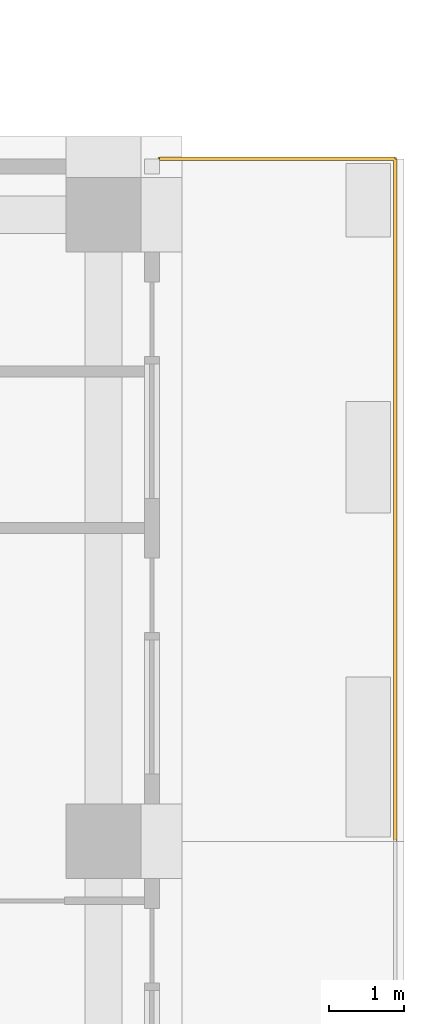
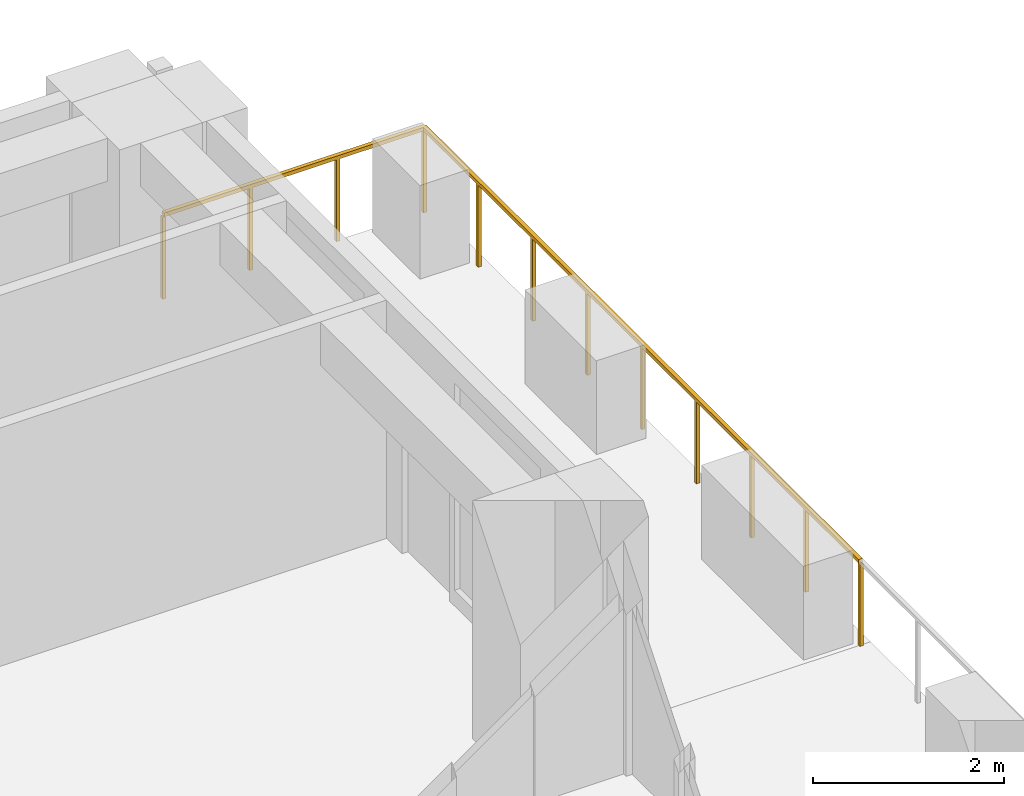
# One storey, part 17 of 17: 1 railing.
"""IFC4 building model written with IfcOpenShell, lengths in metres."""

from ifc_helpers import new_model, si_unit, direction, frame, origin, origin_2d, place, context, subcontext, project, spatial, rectangle, extrude, material, type_object, element, save


model = new_model("IFC4")

# Units and contexts
model_context = context("Model", 3, precision=1e-05, world=origin(), true_north=direction((0.0, 1.0)))
body_context = subcontext(model_context, "Body", "Model", "MODEL_VIEW")
ifc_project = project(units=[si_unit("LENGTHUNIT", "METRE"), si_unit("AREAUNIT", "SQUARE_METRE"), si_unit("VOLUMEUNIT", "CUBIC_METRE"), si_unit("PLANEANGLEUNIT", "RADIAN"), si_unit("MASSUNIT", "GRAM", prefix="KILO")], contexts=[model_context])

# Site, building, storey
site_placement = place(None, origin())
site = spatial("IfcSite", under=ifc_project, at=site_placement, CompositionType="ELEMENT")
building_placement = place(site_placement, origin())
building = spatial("IfcBuilding", under=site, at=building_placement, Name="Vermilion Ogive Tower", CompositionType="ELEMENT")
storey_placement = place(building_placement, frame((0.0, 0.0, 196.25)))
storey = spatial("IfcBuildingStorey", under=building, at=storey_placement, Name="L51", CompositionType="ELEMENT", Elevation=196.25)

# Railing
ifc_material = material(Name="Stainless steel and glass", Category="steel")
railing_type = type_object("IfcRailingType", Name="Balcony guard", PredefinedType="GUARDRAIL", material=ifc_material)
railing_placement = place(storey_placement, frame((29.110107421875, 4.199951171875, -0.0400390625)))
element("IfcRailing", 1, at=railing_placement, inside=storey, type_object=railing_type, Name="Guard E03", PredefinedType="GUARDRAIL", context=body_context, shape_type="SweptSolid", body=[
    extrude(rectangle(XDim=0.048095703125, YDim=0.048095703125, at=origin_2d()), frame((0.0, 0.0, 1.076171875), z_axis=(0.0, 1.0, 0.0), x_axis=(-1.0, 0.0, 0.0)), (0.0, 0.0, 1.0), 9.150146484375),
    extrude(rectangle(XDim=0.048095703125, YDim=0.048095703125, at=origin_2d()), frame((0.0, 9.150146484375, 1.076171875), z_axis=(-1.0, 0.0, 0.0), x_axis=(0.0, -1.0, 0.0)), (0.0, 0.0, 1.0), 3.16015625),
    extrude(rectangle(XDim=0.0419921875, YDim=0.0419921875, at=origin_2d()), origin(), (0.0, 0.0, 1.0), 1.052001953125),
    extrude(rectangle(XDim=0.0419921875, YDim=0.0419921875, at=origin_2d()), frame((0.0, 1.143798828125, 0.0)), (0.0, 0.0, 1.0), 1.052001953125),
    extrude(rectangle(XDim=0.0419921875, YDim=0.0419921875, at=origin_2d()), frame((0.0, 2.28759765625, 0.0)), (0.0, 0.0, 1.0), 1.052001953125),
    extrude(rectangle(XDim=0.0419921875, YDim=0.0419921875, at=origin_2d()), frame((0.0, 3.431396484375, 0.0)), (0.0, 0.0, 1.0), 1.052001953125),
    extrude(rectangle(XDim=0.0419921875, YDim=0.0419921875, at=origin_2d()), frame((0.0, 4.5751953125, 0.0)), (0.0, 0.0, 1.0), 1.052001953125),
    extrude(rectangle(XDim=0.0419921875, YDim=0.0419921875, at=origin_2d()), frame((0.0, 5.71875, 0.0)), (0.0, 0.0, 1.0), 1.052001953125),
    extrude(rectangle(XDim=0.0419921875, YDim=0.0419921875, at=origin_2d()), frame((0.0, 6.862548828125, 0.0)), (0.0, 0.0, 1.0), 1.052001953125),
    extrude(rectangle(XDim=0.0419921875, YDim=0.0419921875, at=origin_2d()), frame((0.0, 8.00634765625, 0.0)), (0.0, 0.0, 1.0), 1.052001953125),
    extrude(rectangle(XDim=0.0419921875, YDim=0.0419921875, at=origin_2d()), frame((0.0, 9.150146484375, 0.0)), (0.0, 0.0, 1.0), 1.052001953125),
    extrude(rectangle(XDim=0.0419921875, YDim=0.0419921875, at=origin_2d()), frame((-1.053466796875, 9.150146484375, 0.0)), (0.0, 0.0, 1.0), 1.052001953125),
    extrude(rectangle(XDim=0.0419921875, YDim=0.0419921875, at=origin_2d()), frame((-2.106689453125, 9.150146484375, 0.0)), (0.0, 0.0, 1.0), 1.052001953125),
    extrude(rectangle(XDim=0.0419921875, YDim=0.0419921875, at=origin_2d()), frame((-3.16015625, 9.150146484375, 0.0)), (0.0, 0.0, 1.0), 1.052001953125),
])

save(model, "model.ifc")
